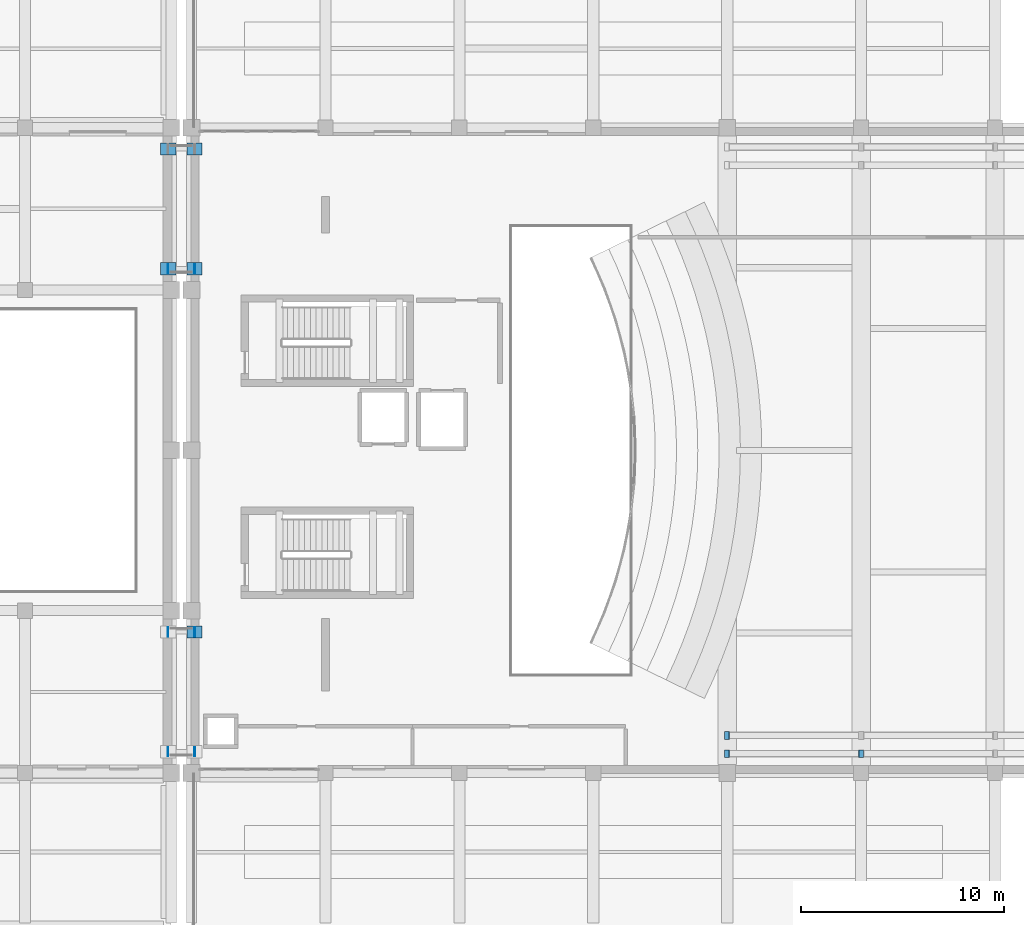
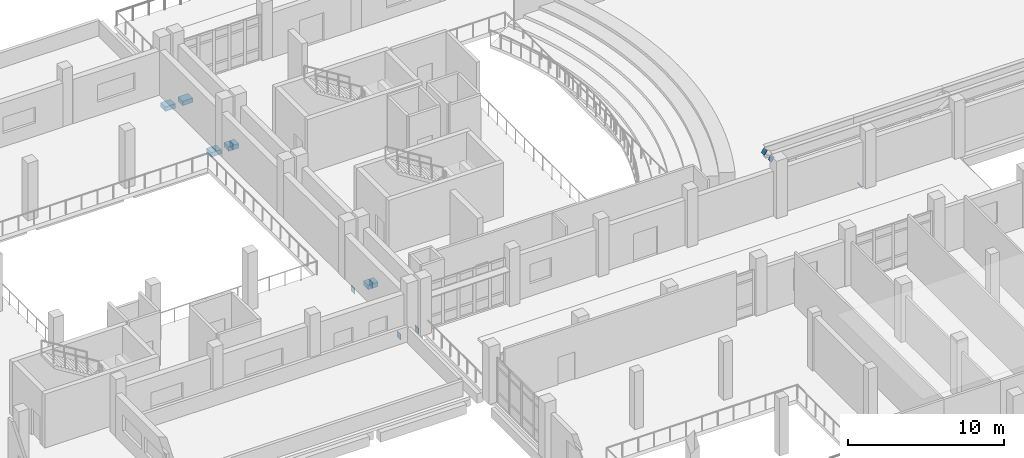
# One storey, part 44 of 54: 14 discrete accessories.
"""IFC4 building model written with IfcOpenShell, lengths in metres."""

import ifcopenshell
import ifcopenshell.guid

model = None  # the IFC model being written
_history = None  # IfcOwnerHistory: only IFC2X3 demands one
_inside = {}  # id of a spatial element -> (the spatial element, [elements in it])
_under = {}  # id of a project, library or spatial element -> (it, [spatial elements below it])
_declared = {}  # id of a project -> (the project, [libraries it declares])
_typed = {}  # id of a type object -> (the type object, [elements of that type])
_made_of = {}  # id of a material, layer set ... -> (it, [elements and type objects made of it])


def new_model(schema):
    """Start an empty IFC model of exactly this schema.

    Asked for "IFC4X3", IfcOpenShell would pick the latest addendum, in which some entities
    have other attributes; the version numbers below select the first issue.
    IFC2X3 requires an IfcOwnerHistory on every rooted entity: one is made here for all.
    """
    global model, _history
    if schema == "IFC4X3":
        model = ifcopenshell.file(schema_version=(4, 3, 0, 0))
    else:
        model = ifcopenshell.file(schema=schema)
    _inside.clear()
    _under.clear()
    _declared.clear()
    _typed.clear()
    _made_of.clear()
    _history = None
    if model.schema == "IFC2X3":
        org = make("IfcOrganization", Name="unknown")
        user = make(
            "IfcPersonAndOrganization",
            ThePerson=make("IfcPerson", FamilyName="unknown"),
            TheOrganization=org,
        )
        app = make(
            "IfcApplication",
            ApplicationDeveloper=org,
            Version="unknown",
            ApplicationFullName="unknown",
            ApplicationIdentifier="unknown",
        )
        _history = make(
            "IfcOwnerHistory",
            OwningUser=user,
            OwningApplication=app,
            ChangeAction="ADDED",
            CreationDate=0,
        )
    return model


def make(cls, **values):
    """One entity of the class cls with the attributes given. An attribute that is None is left unset."""
    return model.create_entity(
        cls, **{name: value for name, value in values.items() if value is not None}
    )


def rooted(cls, **values):
    """An entity with a GlobalId (a new one), such as an element, a storey or a relation."""
    return make(cls, GlobalId=ifcopenshell.guid.new(), OwnerHistory=_history, **values)


def si_unit(unit_type, name, prefix=None):
    """IfcSIUnit, for example si_unit("LENGTHUNIT", "METRE", prefix="MILLI")."""
    return make("IfcSIUnit", UnitType=unit_type, Prefix=prefix, Name=name)


def assignment(units):
    """IfcUnitAssignment: the units of a project."""
    return None if units is None else make("IfcUnitAssignment", Units=units)


def point(xyz):
    """IfcCartesianPoint."""
    return None if xyz is None else make("IfcCartesianPoint", Coordinates=xyz)


def direction(xyz):
    """IfcDirection."""
    return None if xyz is None else make("IfcDirection", DirectionRatios=xyz)


def frame(location, z_axis=None, x_axis=None):
    """IfcAxis2Placement3D, a coordinate frame: its origin and axes. An axis left out is left unset."""
    return make(
        "IfcAxis2Placement3D",
        Location=point(location),
        Axis=direction(z_axis),
        RefDirection=direction(x_axis),
    )


def frame_2d(location, x_axis=None):
    """IfcAxis2Placement2D, a coordinate frame in the plane: its origin and x axis."""
    return make(
        "IfcAxis2Placement2D", Location=point(location), RefDirection=direction(x_axis)
    )


def origin():
    """The frame at (0, 0, 0) with its axes left unset."""
    return frame((0.0, 0.0, 0.0))


def origin_2d():
    """The frame at (0, 0) in the plane with its x axis left unset."""
    return frame_2d((0.0, 0.0))


def place(relative_to, where):
    """IfcLocalPlacement: puts the frame where relative to a parent placement (None: the world)."""
    return make(
        "IfcLocalPlacement", PlacementRelTo=relative_to, RelativePlacement=where
    )


def context(
    kind, dimensions, precision=None, world=None, true_north=None, identifier=None
):
    """IfcGeometricRepresentationContext, for example the 3D "Model" context."""
    return make(
        "IfcGeometricRepresentationContext",
        ContextIdentifier=identifier,
        ContextType=kind,
        CoordinateSpaceDimension=dimensions,
        Precision=precision,
        WorldCoordinateSystem=world,
        TrueNorth=true_north,
    )


def subcontext(parent, identifier, kind, view, scale=None):
    """IfcGeometricRepresentationSubContext, for example "Body" below "Model"."""
    return make(
        "IfcGeometricRepresentationSubContext",
        ContextIdentifier=identifier,
        ContextType=kind,
        ParentContext=parent,
        TargetScale=scale,
        TargetView=view,
    )


def project(units=None, contexts=None):
    """IfcProject with its units and contexts."""
    return rooted(
        "IfcProject",
        Name="project",
        RepresentationContexts=contexts,
        UnitsInContext=assignment(units),
    )


def spatial(cls, under=None, at=None, **own):
    """A site, building, storey or space (cls), placed at a placement, below another one or the project."""
    s = rooted(cls, ObjectPlacement=at, **own)
    if under is not None:
        _under.setdefault(under.id(), (under, []))[1].append(s)
    return s


def profile(cls, at=None, kind="AREA", **sizes):
    """A parametric profile (cls). Its sizes go by their IFC names, for example OverallWidth=200.0."""
    return make(cls, ProfileType=kind, Position=at, **sizes)


def rectangle(**sizes):
    """IfcRectangleProfileDef."""
    return profile("IfcRectangleProfileDef", **sizes)


def extrude(swept, where, along, depth):
    """IfcExtrudedAreaSolid: the profile swept, set in the frame where, extruded along a direction by depth."""
    return make(
        "IfcExtrudedAreaSolid",
        SweptArea=swept,
        Position=where,
        ExtrudedDirection=direction(along),
        Depth=depth,
    )


def shape(context_of_items, identifier, shape_type, items):
    """IfcShapeRepresentation: the items that make up one representation, for example the "Body"."""
    return make(
        "IfcShapeRepresentation",
        ContextOfItems=context_of_items,
        RepresentationIdentifier=identifier,
        RepresentationType=shape_type,
        Items=items,
    )


def material(Name=None, Category=None):
    """IfcMaterial."""
    return make("IfcMaterial", Name=Name, Category=Category)


def material_profile(
    of_material, cross_section, Name=None, Category=None, Priority=None
):
    """IfcMaterialProfile: a cross section and its material."""
    return make(
        "IfcMaterialProfile",
        Name=Name,
        Material=of_material,
        Profile=cross_section,
        Priority=Priority,
        Category=Category,
    )


def profile_set(profiles, Name=None, composite=None):
    """IfcMaterialProfileSet."""
    return make(
        "IfcMaterialProfileSet",
        Name=Name,
        MaterialProfiles=profiles,
        CompositeProfile=composite,
    )


def made_of(thing, what):
    """Note that an element or type object is made of a material, layer set ...; save() writes the relation."""
    if what is not None:
        _made_of.setdefault(what.id(), (what, []))[1].append(thing)
    return thing


def type_object(cls, material=None, **own):
    """A type object (cls), such as IfcWallType, which elements share."""
    return made_of(rooted(cls, **own), material)


def element(
    cls,
    number,
    at=None,
    inside=None,
    cuts=None,
    type_object=None,
    material=None,
    context=None,
    identifier="Body",
    shape_type=None,
    held_by="IfcProductDefinitionShape",
    body=None,
    shapes=None,
    **own,
):
    """One element of the class cls, such as IfcWall. Its Tag is "e" and its number.

    at: its placement. inside: the storey or other place that contains it. cuts: it is an
    opening in that element (IfcRelVoidsElement). A single representation is given by context,
    identifier, shape_type and body (its items); several are given by shapes. held_by: the class
    of the entity that holds the representations. save() writes the other relations.
    """
    e = rooted(cls, Tag="e%d" % number, ObjectPlacement=at, **own)
    if body is not None:
        shapes = [shape(context, identifier, shape_type, body)]
    if shapes is not None:
        e.Representation = make(held_by, Representations=shapes)
    if inside is not None:
        _inside.setdefault(inside.id(), (inside, []))[1].append(e)
    if cuts is not None:
        rooted(
            "IfcRelVoidsElement", RelatingBuildingElement=cuts, RelatedOpeningElement=e
        )
    if type_object is not None:
        _typed.setdefault(type_object.id(), (type_object, []))[1].append(e)
    return made_of(e, material)


def aggregate(whole, parts):
    """IfcRelAggregates: a whole, such as a stair, and the parts it consists of."""
    return rooted("IfcRelAggregates", RelatingObject=whole, RelatedObjects=parts)


def save(model, path):
    """Write the relations noted so far, then the file.

    IfcRelAggregates (storeys below a building ...), IfcRelContainedInSpatialStructure (elements
    in a storey), IfcRelDefinesByType, IfcRelAssociatesMaterial and IfcRelDeclares: one each for
    every whole, place, type object, material and project.
    """
    for whole, parts in _under.values():
        aggregate(whole, parts)
    for where, things in _inside.values():
        rooted(
            "IfcRelContainedInSpatialStructure",
            RelatedElements=things,
            RelatingStructure=where,
        )
    for kind, things in _typed.values():
        rooted("IfcRelDefinesByType", RelatedObjects=things, RelatingType=kind)
    for what, things in _made_of.values():
        rooted("IfcRelAssociatesMaterial", RelatedObjects=things, RelatingMaterial=what)
    for by, libraries in _declared.values():
        rooted("IfcRelDeclares", RelatingContext=by, RelatedDefinitions=libraries)
    model.write(path)


model = new_model("IFC4")

# Units and contexts
model_context = context("Model", 3, precision=1e-05, world=origin(), true_north=direction((0.0, 1.0)))
body_context = subcontext(model_context, "Body", "Model", "MODEL_VIEW")
ifc_project = project(units=[si_unit("LENGTHUNIT", "METRE"), si_unit("AREAUNIT", "SQUARE_METRE"), si_unit("VOLUMEUNIT", "CUBIC_METRE"), si_unit("PLANEANGLEUNIT", "RADIAN"), si_unit("MASSUNIT", "GRAM", prefix="KILO")], contexts=[model_context])

# Site, building, storey
site_placement = place(None, origin())
site = spatial("IfcSite", under=ifc_project, at=site_placement, CompositionType="ELEMENT")
building_placement = place(site_placement, origin())
building = spatial("IfcBuilding", under=site, at=building_placement, Name="Kelarvand Opera House", CompositionType="ELEMENT")
storey_placement = place(building_placement, frame((0.0, 0.0, 15.0)))
storey = spatial("IfcBuildingStorey", under=building, at=storey_placement, Name="L03", CompositionType="ELEMENT", Elevation=15.0)

# Discrete accessories
ifc_material_1 = material(Name="Concrete C40/50", Category="concrete")
discrete_accessory_type_1 = type_object("IfcDiscreteAccessoryType", Name="Seismic Bridge RC Corbel Seat 750mm with 250mm PTFE Sliding Bearing", PredefinedType="SHOE", material=ifc_material_1)
for number, where, z_axis, x_axis, name in (
    (1, (87.85009765625, 71.449951171875, -0.675048828125), (0.0, 0.0, 1.0), (1.0, 0.0, 0.0), "Seismic Bridge 750mm Corbel Seat & 250mm PTFE Bearing BR-JP-N L03 1.1"),
    (2, (89.14990234375, 71.449951171875, -0.675048828125), (0.0, 0.0, 1.0), (1.0, 0.0, 0.0), "Seismic Bridge 750mm Corbel Seat & 250mm PTFE Bearing BR-JP-N L03 1.2"),
    (3, (87.85009765625, 77.35009765625, -0.675048828125), (0.0, 0.0, 1.0), (1.0, 0.0, 0.0), "Seismic Bridge 750mm Corbel Seat & 250mm PTFE Bearing BR-JP-N L03 2.1"),
    (4, (89.14990234375, 77.35009765625, -0.675048828125), (0.0, 0.0, 1.0), (1.0, 0.0, 0.0), "Seismic Bridge 750mm Corbel Seat & 250mm PTFE Bearing BR-JP-N L03 2.2"),
    (5, (89.14990234375, 53.550048828125, -0.675048828125), (0.0, 0.0, 1.0), (1.0, 0.0, 0.0), "Seismic Bridge 750mm Corbel Seat & 250mm PTFE Bearing BR-JP-S L03 2.2"),
):
    element("IfcDiscreteAccessory", number, at=place(storey_placement, frame(where, z_axis=z_axis, x_axis=x_axis)), inside=storey, type_object=discrete_accessory_type_1, Name=name, PredefinedType="SHOE", context=body_context, shape_type="SweptSolid", body=[
        extrude(rectangle(XDim=0.75, YDim=0.60009765625, at=origin_2d()), origin(), (0.0, 0.0, 1.0), 0.35009765625),
    ])
ifc_material_2 = material(Name="Steel S355", Category="steel")
ifc_material_profile_1 = material_profile(ifc_material_2, rectangle(XDim=0.384033203125, YDim=0.384033203125, at=origin_2d()), Name="Welded Steel Hollow End-Cap Plate 384x384x24", Category="steel")
ifc_profile_set_1 = profile_set([ifc_material_profile_1], Name="Steel S355")
discrete_accessory_type_2 = type_object("IfcDiscreteAccessoryType", Name="Welded Steel Hollow End-Cap Plate 384x384x24", PredefinedType="SHOE", material=ifc_profile_set_1)
discrete_accessory_1_placement = place(storey_placement, frame((115.406494140625, 47.550048828125, 3.765380859375), z_axis=(-0.826800431078, 0.0, 0.562495375242), x_axis=(0.0, -1.0, 0.0)))
element("IfcDiscreteAccessory", 6, at=discrete_accessory_1_placement, inside=storey, type_object=discrete_accessory_type_2, Name="Hollow Section Welded End Cap 119", PredefinedType="SHOE", context=body_context, shape_type="SweptSolid", body=[
    extrude(rectangle(XDim=0.384033203125, YDim=0.384033203125, at=origin_2d()), origin(), (0.0, 0.0, 1.0), 0.0361328125),
])
discrete_accessory_2_placement = place(storey_placement, frame((122.006591796875, 47.550048828125, -0.66552734375), z_axis=(-0.829951176842, 0.0, -0.557836036894), x_axis=(0.0, -1.0, 0.0)))
element("IfcDiscreteAccessory", 7, at=discrete_accessory_2_placement, inside=storey, type_object=discrete_accessory_type_2, Name="Hollow Section Welded End Cap 123", PredefinedType="SHOE", context=body_context, shape_type="SweptSolid", body=[
    extrude(rectangle(XDim=0.384033203125, YDim=0.384033203125, at=origin_2d()), origin(), (0.0, 0.0, 1.0), 0.035888671875),
])
discrete_accessory_3_placement = place(storey_placement, frame((115.406494140625, 48.449951171875, 3.765380859375), z_axis=(-0.826800431078, 0.0, 0.562495375242), x_axis=(0.0, -1.0, 0.0)))
element("IfcDiscreteAccessory", 8, at=discrete_accessory_3_placement, inside=storey, type_object=discrete_accessory_type_2, Name="Hollow Section Welded End Cap 143", PredefinedType="SHOE", context=body_context, shape_type="SweptSolid", body=[
    extrude(rectangle(XDim=0.384033203125, YDim=0.384033203125, at=origin_2d()), origin(), (0.0, 0.0, 1.0), 0.0361328125),
])
ifc_material_profile_2 = material_profile(ifc_material_2, rectangle(XDim=0.4599609375, YDim=0.4599609375, at=origin_2d()), Name="Welded Steel Hollow End-Cap Plate 460x460x24", Category="steel")
ifc_profile_set_2 = profile_set([ifc_material_profile_2], Name="Steel S355")
discrete_accessory_type_3 = type_object("IfcDiscreteAccessoryType", Name="Welded Steel Hollow End-Cap Plate 460x460x24", PredefinedType="SHOE", material=ifc_profile_set_2)
for number, where, z_axis, x_axis, name in (
    (9, (87.85791015625, 71.449951171875, -0.52001953125), (-1.0, 0.0, 0.0), (0.0, -1.0, 0.0), "Hollow Section Welded End Cap 45"),
    (10, (89.14208984375, 71.449951171875, -0.52001953125), (1.0, 0.0, 0.0), (0.0, 1.0, 0.0), "Hollow Section Welded End Cap 46"),
    (11, (87.85791015625, 47.64990234375, -0.52001953125), (-1.0, 0.0, 0.0), (0.0, -1.0, 0.0), "Hollow Section Welded End Cap 69"),
    (12, (89.14208984375, 47.64990234375, -0.52001953125), (1.0, 0.0, 0.0), (0.0, 1.0, 0.0), "Hollow Section Welded End Cap 70"),
    (13, (87.85791015625, 53.550048828125, -0.52001953125), (-1.0, 0.0, 0.0), (0.0, -1.0, 0.0), "Hollow Section Welded End Cap 71"),
    (14, (89.14208984375, 53.550048828125, -0.52001953125), (1.0, 0.0, 0.0), (0.0, 1.0, 0.0), "Hollow Section Welded End Cap 72"),
):
    element("IfcDiscreteAccessory", number, at=place(storey_placement, frame(where, z_axis=z_axis, x_axis=x_axis)), inside=storey, type_object=discrete_accessory_type_3, Name=name, PredefinedType="SHOE", context=body_context, shape_type="SweptSolid", body=[
        extrude(rectangle(XDim=0.4599609375, YDim=0.4599609375, at=origin_2d()), origin(), (0.0, 0.0, 1.0), 0.035888671875),
    ])

save(model, "model.ifc")
